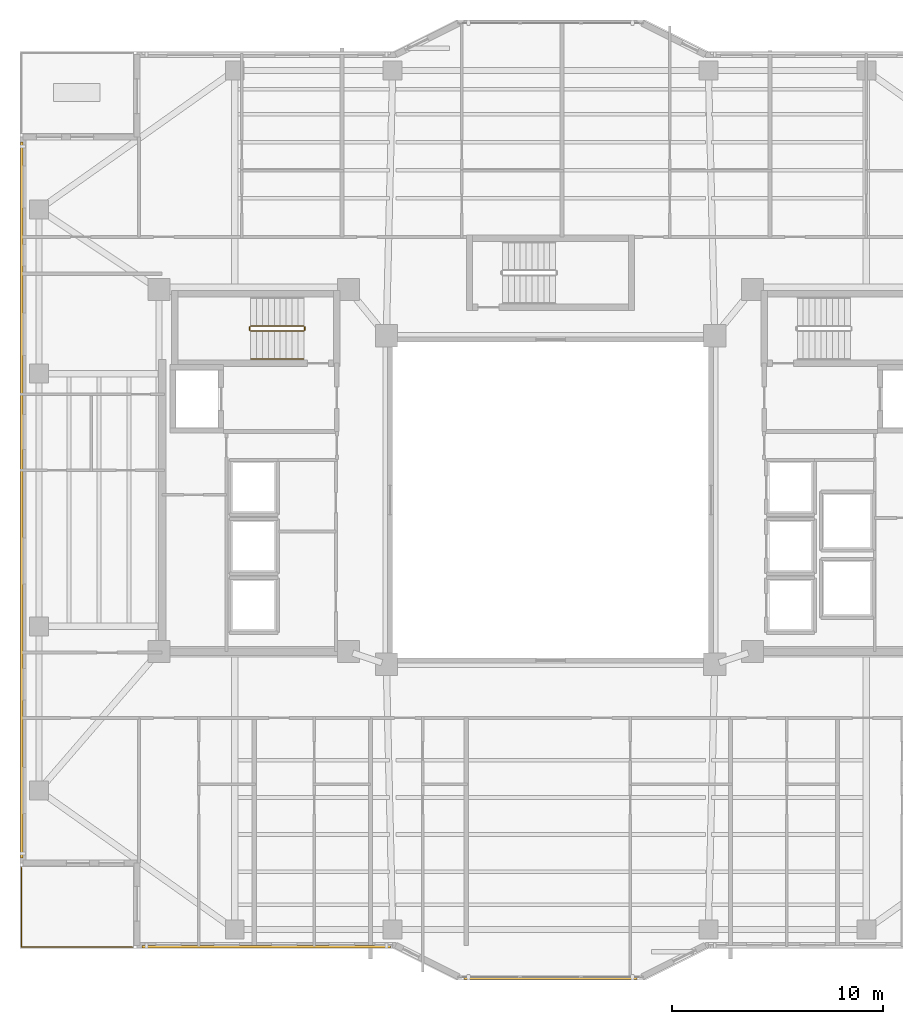
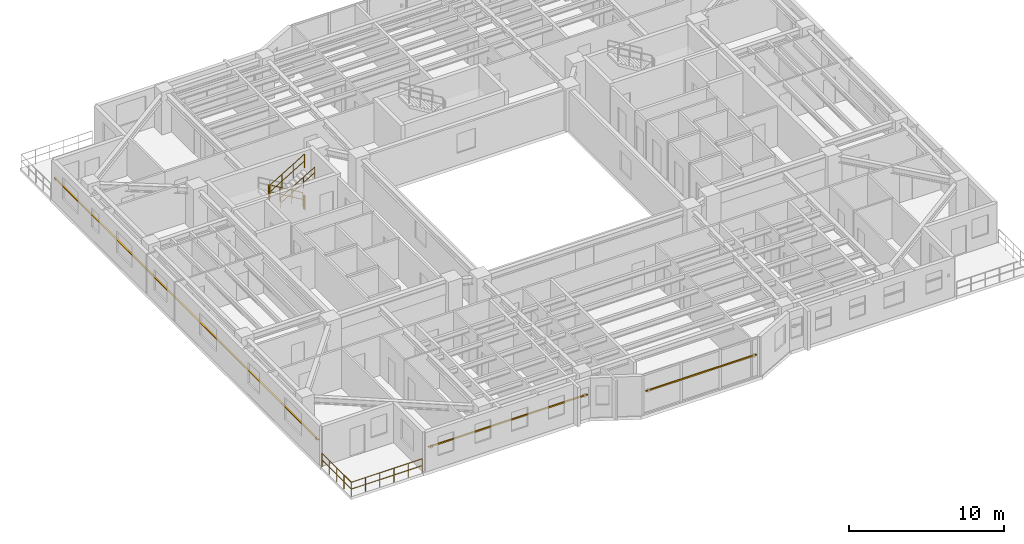
# One storey, part 14 of 17: 7 railings, 3 shading devices.
"""IFC4 building model written with IfcOpenShell, lengths in metres."""

from ifc_helpers import new_model, si_unit, direction, frame, origin, origin_2d, place, context, subcontext, project, spatial, rectangle, circle, extrude, material, material_profile, profile_set, type_object, element, save


model = new_model("IFC4")

# Units and contexts
model_context = context("Model", 3, precision=1e-05, world=origin(), true_north=direction((0.0, 1.0)))
body_context = subcontext(model_context, "Body", "Model", "MODEL_VIEW")
ifc_project = project(units=[si_unit("LENGTHUNIT", "METRE"), si_unit("AREAUNIT", "SQUARE_METRE"), si_unit("VOLUMEUNIT", "CUBIC_METRE"), si_unit("PLANEANGLEUNIT", "RADIAN"), si_unit("MASSUNIT", "GRAM", prefix="KILO")], contexts=[model_context])

# Site, building, storey
site_placement = place(None, origin())
site = spatial("IfcSite", under=ifc_project, at=site_placement, CompositionType="ELEMENT")
building_placement = place(site_placement, origin())
building = spatial("IfcBuilding", under=site, at=building_placement, Name="Tarnavaz Court Tower", CompositionType="ELEMENT")
storey_placement = place(building_placement, frame((0.0, 0.0, 132.60009765625)))
storey = spatial("IfcBuildingStorey", under=building, at=storey_placement, Name="L35", CompositionType="ELEMENT", Elevation=132.60009765625)

# Railings
ifc_material_1 = material(Name="Anodised Aluminium 6063-T6 and Laminated Safety Glass", Category="aluminium")
railing_type_1 = type_object("IfcRailingType", Name="RL-BAL-1120", PredefinedType="BALUSTRADE", material=ifc_material_1)
railing_1_placement = place(storey_placement, frame((-25.139892578125, -21.239990234375, 0.0)))
element("IfcRailing", 1, at=railing_1_placement, inside=storey, type_object=railing_type_1, Name="L35 Terrace 4 S Perimeter Balustrade", PredefinedType="BALUSTRADE", context=body_context, shape_type="SweptSolid", body=[
    extrude(circle(Radius=0.02392578125, at=origin_2d()), frame((0.0, 0.0, 1.09619140625), z_axis=(1.0, 0.0, 0.0), x_axis=(0.0, 1.0, 0.0)), (0.0, 0.0, 1.0), 5.27978515625),
    extrude(circle(Radius=0.02392578125, at=origin_2d()), frame((0.0, 0.0, 0.56005859375), z_axis=(1.0, 0.0, 0.0), x_axis=(0.0, 1.0, 0.0)), (0.0, 0.0, 1.0), 5.27978515625),
    extrude(circle(Radius=0.02099609375, at=origin_2d()), origin(), (0.0, 0.0, 1.0), 1.072021484375),
    extrude(circle(Radius=0.02099609375, at=origin_2d()), frame((1.055908203125, 0.0, 0.0)), (0.0, 0.0, 1.0), 1.072021484375),
    extrude(circle(Radius=0.02099609375, at=origin_2d()), frame((2.11181640625, 0.0, 0.0)), (0.0, 0.0, 1.0), 1.072021484375),
    extrude(circle(Radius=0.02099609375, at=origin_2d()), frame((3.16796875, 0.0, 0.0)), (0.0, 0.0, 1.0), 1.072021484375),
    extrude(circle(Radius=0.02099609375, at=origin_2d()), frame((4.223876953125, 0.0, 0.0)), (0.0, 0.0, 1.0), 1.072021484375),
    extrude(circle(Radius=0.02099609375, at=origin_2d()), frame((5.27978515625, 0.0, 0.0)), (0.0, 0.0, 1.0), 1.072021484375),
])
railing_2_placement = place(storey_placement, frame((-25.139892578125, -17.4599609375, 0.0)))
element("IfcRailing", 2, at=railing_2_placement, inside=storey, type_object=railing_type_1, Name="L35 Terrace 4 W Perimeter Balustrade", PredefinedType="BALUSTRADE", context=body_context, shape_type="SweptSolid", body=[
    extrude(circle(Radius=0.02392578125, at=origin_2d()), frame((0.0, 0.0, 1.09619140625), z_axis=(0.0, -1.0, 0.0), x_axis=(1.0, 0.0, 0.0)), (0.0, 0.0, 1.0), 3.780029296875),
    extrude(circle(Radius=0.02392578125, at=origin_2d()), frame((0.0, 0.0, 0.56005859375), z_axis=(0.0, -1.0, 0.0), x_axis=(1.0, 0.0, 0.0)), (0.0, 0.0, 1.0), 3.780029296875),
    extrude(circle(Radius=0.02099609375, at=origin_2d()), origin(), (0.0, 0.0, 1.0), 1.072021484375),
    extrude(circle(Radius=0.02099609375, at=origin_2d()), frame((0.0, -0.945068359375, 0.0)), (0.0, 0.0, 1.0), 1.072021484375),
    extrude(circle(Radius=0.02099609375, at=origin_2d()), frame((0.0, -1.89013671875, 0.0)), (0.0, 0.0, 1.0), 1.072021484375),
    extrude(circle(Radius=0.02099609375, at=origin_2d()), frame((0.0, -2.8349609375, 0.0)), (0.0, 0.0, 1.0), 1.072021484375),
    extrude(circle(Radius=0.02099609375, at=origin_2d()), frame((0.0, -3.780029296875, 0.0)), (0.0, 0.0, 1.0), 1.072021484375),
])
ifc_material_2 = material(Name="Brushed Stainless Steel", Category="steel")
railing_type_2 = type_object("IfcRailingType", Name="RL-HANDRAIL-900", PredefinedType="HANDRAIL", material=ifc_material_2)
railing_3_placement = place(storey_placement, frame((-14.239990234375, 6.699951171875, 1.84228515625)))
element("IfcRailing", 3, at=railing_3_placement, inside=storey, type_object=railing_type_2, Name="L35 ST-W1 stair handrail 2", PredefinedType="HANDRAIL", context=body_context, shape_type="SweptSolid", body=[
    extrude(circle(Radius=0.02392578125, at=origin_2d()), frame((0.0, 0.0, 0.8759765625), z_axis=(0.858159760407, 0.0, 0.513382728203), x_axis=(0.0, 1.0, 0.0)), (0.0, 0.0, 1.0), 2.9365234375),
    extrude(circle(Radius=0.02392578125, at=origin_2d()), frame((0.0, 0.0, 0.449951171875), z_axis=(0.858159760407, 0.0, 0.513382728203), x_axis=(0.0, 1.0, 0.0)), (0.0, 0.0, 1.0), 2.9365234375),
    extrude(circle(Radius=0.02099609375, at=origin_2d()), origin(), (0.0, 0.0, 1.0), 0.851806640625),
    extrude(circle(Radius=0.02099609375, at=origin_2d()), frame((0.840087890625, 0.0, 0.50244140625)), (0.0, 0.0, 1.0), 0.851806640625),
    extrude(circle(Radius=0.02099609375, at=origin_2d()), frame((1.679931640625, 0.0, 1.005126953125)), (0.0, 0.0, 1.0), 0.851806640625),
    extrude(circle(Radius=0.02099609375, at=origin_2d()), frame((2.52001953125, 0.0, 1.507568359375)), (0.0, 0.0, 1.0), 0.851806640625),
])
ifc_material_3 = material(Name="Galvanized Painted Tubular Steel", Category="steel")
railing_type_3 = type_object("IfcRailingType", Name="RL-STGUARD-1120", PredefinedType="GUARDRAIL", material=ifc_material_3)
railing_4_placement = place(storey_placement, frame((-11.719970703125, 8.27001953125, 0.16748046875)))
element("IfcRailing", 4, at=railing_4_placement, inside=storey, type_object=railing_type_3, Name="L35 ST-W1 stair guard 1", PredefinedType="GUARDRAIL", context=body_context, shape_type="SweptSolid", body=[
    extrude(circle(Radius=0.02392578125, at=origin_2d()), frame((0.0, 0.0, 1.09619140625), z_axis=(-0.858196387827, 0.0, 0.513321497621), x_axis=(0.0, -1.0, 0.0)), (0.0, 0.0, 1.0), 2.9365234375),
    extrude(circle(Radius=0.02392578125, at=origin_2d()), frame((0.0, 0.0, 0.56005859375), z_axis=(-0.858196387827, 0.0, 0.513321497621), x_axis=(0.0, -1.0, 0.0)), (0.0, 0.0, 1.0), 2.9365234375),
    extrude(circle(Radius=0.02099609375, at=origin_2d()), origin(), (0.0, 0.0, 1.0), 1.072021484375),
    extrude(circle(Radius=0.02099609375, at=origin_2d()), frame((-0.840087890625, 0.0, 0.50244140625)), (0.0, 0.0, 1.0), 1.072021484375),
    extrude(circle(Radius=0.02099609375, at=origin_2d()), frame((-1.679931640625, 0.0, 1.0048828125)), (0.0, 0.0, 1.0), 1.072021484375),
    extrude(circle(Radius=0.02099609375, at=origin_2d()), frame((-2.52001953125, 0.0, 1.50732421875)), (0.0, 0.0, 1.0), 1.072021484375),
])
railing_5_placement = place(storey_placement, frame((-14.2900390625, 8.219970703125, 1.6748046875)))
element("IfcRailing", 5, at=railing_5_placement, inside=storey, type_object=railing_type_3, Name="L35 ST-W1 stair guard 2", PredefinedType="GUARDRAIL", context=body_context, shape_type="SweptSolid", body=[
    extrude(circle(Radius=0.02392578125, at=origin_2d()), frame((0.0, 0.0, 1.09619140625), z_axis=(0.0, -1.0, 0.0), x_axis=(1.0, 0.0, 0.0)), (0.0, 0.0, 1.0), 0.14990234375),
    extrude(circle(Radius=0.02392578125, at=origin_2d()), frame((0.0, 0.0, 0.56005859375), z_axis=(0.0, -1.0, 0.0), x_axis=(1.0, 0.0, 0.0)), (0.0, 0.0, 1.0), 0.14990234375),
    extrude(circle(Radius=0.02099609375, at=origin_2d()), origin(), (0.0, 0.0, 1.0), 1.072021484375),
    extrude(circle(Radius=0.02099609375, at=origin_2d()), frame((0.0, -0.14990234375, 0.0)), (0.0, 0.0, 1.0), 1.072021484375),
])
railing_6_placement = place(storey_placement, frame((-14.239990234375, 8.02001953125, 1.84228515625)))
element("IfcRailing", 6, at=railing_6_placement, inside=storey, type_object=railing_type_3, Name="L35 ST-W1 stair guard 3", PredefinedType="GUARDRAIL", context=body_context, shape_type="SweptSolid", body=[
    extrude(circle(Radius=0.02392578125, at=origin_2d()), frame((0.0, 0.0, 1.09619140625), z_axis=(0.858159760407, 0.0, 0.513382728203), x_axis=(0.0, 1.0, 0.0)), (0.0, 0.0, 1.0), 2.9365234375),
    extrude(circle(Radius=0.02392578125, at=origin_2d()), frame((0.0, 0.0, 0.56005859375), z_axis=(0.858159760407, 0.0, 0.513382728203), x_axis=(0.0, 1.0, 0.0)), (0.0, 0.0, 1.0), 2.9365234375),
    extrude(circle(Radius=0.02099609375, at=origin_2d()), origin(), (0.0, 0.0, 1.0), 1.072021484375),
    extrude(circle(Radius=0.02099609375, at=origin_2d()), frame((0.840087890625, 0.0, 0.50244140625)), (0.0, 0.0, 1.0), 1.072021484375),
    extrude(circle(Radius=0.02099609375, at=origin_2d()), frame((1.679931640625, 0.0, 1.005126953125)), (0.0, 0.0, 1.0), 1.072021484375),
    extrude(circle(Radius=0.02099609375, at=origin_2d()), frame((2.52001953125, 0.0, 1.507568359375)), (0.0, 0.0, 1.0), 1.072021484375),
])
railing_7_placement = place(storey_placement, frame((-11.669921875, 8.219970703125, 0.0)))
element("IfcRailing", 7, at=railing_7_placement, inside=storey, type_object=railing_type_3, Name="L35 ST-W1 stair guard 4", PredefinedType="GUARDRAIL", context=body_context, shape_type="SweptSolid", body=[
    extrude(circle(Radius=0.02392578125, at=origin_2d()), frame((0.0, 0.0, 1.09619140625), z_axis=(0.0, -1.0, 0.0), x_axis=(1.0, 0.0, 0.0)), (0.0, 0.0, 1.0), 0.14990234375),
    extrude(circle(Radius=0.02392578125, at=origin_2d()), frame((0.0, 0.0, 0.56005859375), z_axis=(0.0, -1.0, 0.0), x_axis=(1.0, 0.0, 0.0)), (0.0, 0.0, 1.0), 0.14990234375),
    extrude(circle(Radius=0.02099609375, at=origin_2d()), origin(), (0.0, 0.0, 1.0), 1.072021484375),
    extrude(circle(Radius=0.02099609375, at=origin_2d()), frame((0.0, -0.14990234375, 0.0)), (0.0, 0.0, 1.0), 1.072021484375),
])

# Shading devices
ifc_material_4 = material(Name="Kiln-Fired Khorasan Terracotta Ceramic", Category="masonry")
ifc_material_profile = material_profile(ifc_material_4, rectangle(XDim=0.1201171875, YDim=0.06005859375, at=origin_2d()), Name="TC BAGUETTE 120X60")
ifc_profile_set = profile_set([ifc_material_profile], Name="Kiln-Fired Khorasan Terracotta Ceramic")
shading_device_type = type_object("IfcShadingDeviceType", Name="SD-BAG-120", PredefinedType="USERDEFINED", material=ifc_profile_set)
shading_device_1_placement = place(storey_placement, frame((-25.110107421875, -17.0, 1.849853515625), z_axis=(0.0, 1.0, 0.0), x_axis=(-1.0, 0.0, 0.0)))
element("IfcShadingDevice", 8, at=shading_device_1_placement, inside=storey, type_object=shading_device_type, Name="L35 Terracotta Baguette Screen FBG02", ObjectType="BAGUETTE", PredefinedType="USERDEFINED", context=body_context, shape_type="SweptSolid", body=[
    extrude(rectangle(XDim=0.1201171875, YDim=0.06005859375, at=origin_2d()), origin(), (0.0, 0.0, 1.0), 34.0),
])
shading_device_2_placement = place(storey_placement, frame((4.10009765625, -22.7099609375, 1.7998046875), z_axis=(-1.0, 0.0, 0.0), x_axis=(0.0, -1.0, 0.0)))
element("IfcShadingDevice", 9, at=shading_device_2_placement, inside=storey, type_object=shading_device_type, Name="L35 Terracotta Baguette Screen PBG17", ObjectType="BAGUETTE", PredefinedType="USERDEFINED", context=body_context, shape_type="SweptSolid", body=[
    extrude(rectangle(XDim=0.1201171875, YDim=0.06005859375, at=origin_2d()), origin(), (0.0, 0.0, 1.0), 8.2001953125),
])
shading_device_3_placement = place(storey_placement, frame((-7.60009765625, -21.2099609375, 1.849853515625), z_axis=(-1.0, 0.0, 0.0), x_axis=(0.0, -1.0, 0.0)))
element("IfcShadingDevice", 10, at=shading_device_3_placement, inside=storey, type_object=shading_device_type, Name="L35 Terracotta Baguette Screen FBG19", ObjectType="BAGUETTE", PredefinedType="USERDEFINED", context=body_context, shape_type="SweptSolid", body=[
    extrude(rectangle(XDim=0.1201171875, YDim=0.06005859375, at=origin_2d()), origin(), (0.0, 0.0, 1.0), 11.7998046875),
])

save(model, "model.ifc")
